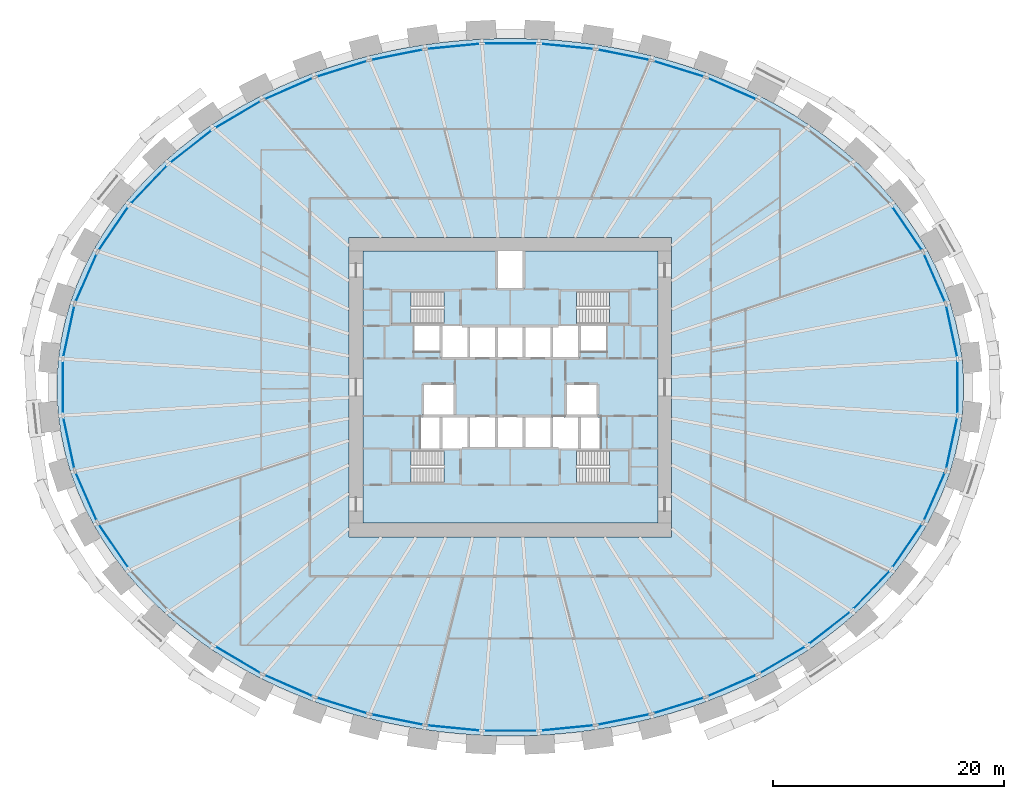
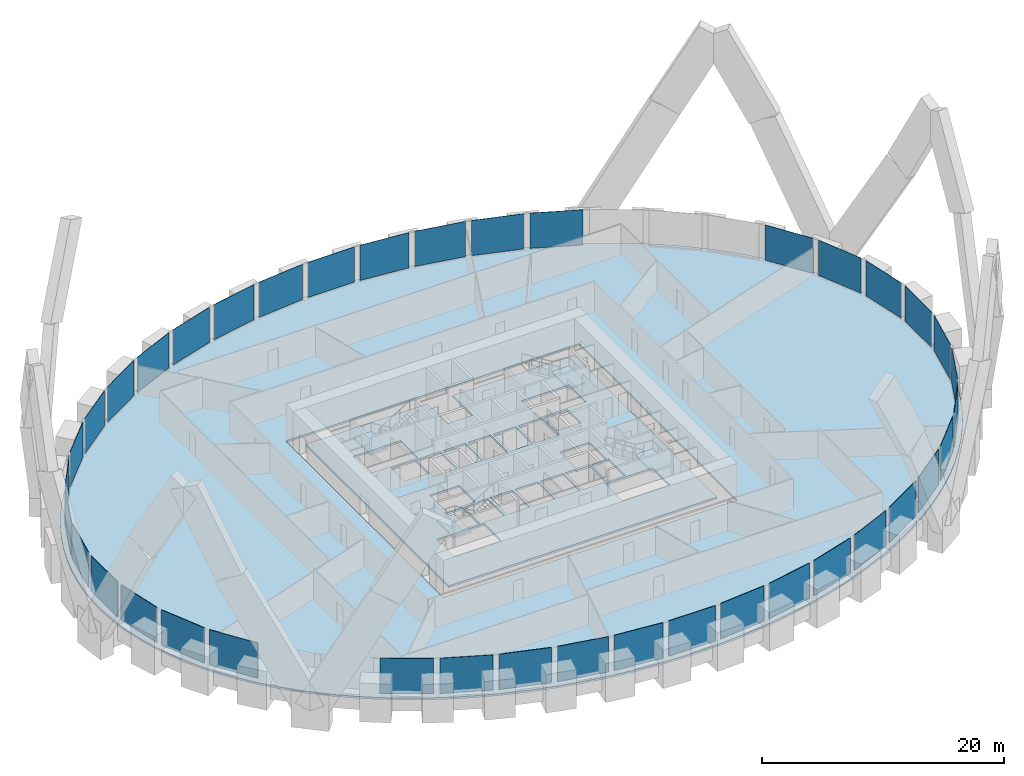
# One storey, part 5 of 12: 39 plates, 6 slabs, 5 elements without a shape of their own.
"""IFC4 building model written with IfcOpenShell, lengths in metres."""

from ifc_helpers import new_model, si_unit, direction, frame, origin, origin_2d, place, context, subcontext, project, spatial, polyline, rectangle, outline, extrude, source, transform, mapped, material, layer, layer_set, type_object, element, aggregate, save


model = new_model("IFC4")

# Units and contexts
model_context = context("Model", 3, precision=1e-05, world=origin(), true_north=direction((0.0, 1.0)))
body_context = subcontext(model_context, "Body", "Model", "MODEL_VIEW")
ifc_project = project(units=[si_unit("LENGTHUNIT", "METRE"), si_unit("AREAUNIT", "SQUARE_METRE"), si_unit("VOLUMEUNIT", "CUBIC_METRE"), si_unit("PLANEANGLEUNIT", "RADIAN"), si_unit("MASSUNIT", "GRAM", prefix="KILO")], contexts=[model_context])

# Site, building, storey
site_placement = place(None, origin())
site = spatial("IfcSite", under=ifc_project, at=site_placement, CompositionType="ELEMENT")
building_placement = place(site_placement, origin())
building = spatial("IfcBuilding", under=site, at=building_placement, Name="Embergate Tower", CompositionType="ELEMENT")
storey_placement = place(building_placement, frame((0.0, 0.0, 45.800048828125)))
storey = spatial("IfcBuildingStorey", under=building, at=storey_placement, Name="L07", CompositionType="ELEMENT", Elevation=45.800048828125)

# Slab
ifc_material_1 = material(Name="Concrete C40", Category="concrete")
ifc_layer_1 = layer(ifc_material_1, 0.199951171875)
ifc_layer_set_1 = layer_set([ifc_layer_1], Name="Concrete C40")
slab_type_1 = type_object("IfcSlabType", Name="Composite floor slab C40 200", PredefinedType="FLOOR", material=ifc_layer_set_1)
shared_shape_1 = source(origin(), body_context, "Body", "SweptSolid", [
    extrude(outline(polyline([(0.0, 0.0), (1.6640625, 0.0), (3.325927734375, 0.053955078125), (4.989013671875, 0.162109375), (6.64501953125, 0.324951171875), (8.2900390625, 0.5419921875), (9.93798828125, 0.81494140625), (11.569091796875, 1.14208984375), (13.179931640625, 1.52294921875), (14.794921875, 1.964111328125), (16.383056640625, 2.4580078125), (17.942138671875, 3.006103515625), (19.5029296875, 3.619140625), (21.027099609375, 4.2861328125), (22.510986328125, 5.00390625), (23.994140625, 5.794921875), (25.427978515625, 6.637939453125), (26.81005859375, 7.531005859375), (28.18310546875, 8.505126953125), (29.494140625, 9.529052734375), (30.739990234375, 10.59912109375), (31.964111328125, 11.757080078125), (33.111083984375, 12.9609375), (34.179931640625, 14.2060546875), (35.2060546875, 15.5419921875), (36.14111328125, 16.9169921875), (36.98291015625, 18.326904296875), (37.754150390625, 19.820068359375), (38.422119140625, 21.342041015625), (38.984130859375, 22.89013671875), (39.447998046875, 24.4970703125), (39.797119140625, 26.1220703125), (40.031982421875, 27.759033203125), (40.150146484375, 29.41796875), (40.150146484375, 31.080078125), (40.031982421875, 32.739013671875), (39.797119140625, 34.3759765625), (39.447998046875, 36.0009765625), (38.984130859375, 37.60791015625), (38.422119140625, 39.156005859375), (37.754150390625, 40.677978515625), (36.98291015625, 42.171142578125), (36.14111328125, 43.5810546875), (35.2060546875, 44.9560546875), (34.179931640625, 46.2919921875), (33.111083984375, 47.537109375), (31.964111328125, 48.740966796875), (30.739990234375, 49.89892578125), (29.494140625, 50.968994140625), (28.18310546875, 51.992919921875), (26.81005859375, 52.967041015625), (25.427978515625, 53.860107421875), (23.994140625, 54.703125), (22.510986328125, 55.494140625), (21.027099609375, 56.2119140625), (19.5029296875, 56.87890625), (17.942138671875, 57.491943359375), (16.383056640625, 58.0400390625), (14.794921875, 58.533935546875), (13.179931640625, 58.97509765625), (11.569091796875, 59.35595703125), (9.93798828125, 59.68310546875), (8.2900390625, 59.9560546875), (6.64501953125, 60.173095703125), (4.989013671875, 60.3359375), (3.325927734375, 60.444091796875), (1.6640625, 60.498046875), (0.0, 60.498046875), (-1.661865234375, 60.444091796875), (-3.324951171875, 60.3359375), (-4.98095703125, 60.173095703125), (-6.6259765625, 59.9560546875), (-8.27392578125, 59.68310546875), (-9.905029296875, 59.35595703125), (-11.515869140625, 58.97509765625), (-13.130859375, 58.533935546875), (-14.718994140625, 58.0400390625), (-16.278076171875, 57.491943359375), (-17.8388671875, 56.87890625), (-19.363037109375, 56.2119140625), (-20.846923828125, 55.494140625), (-22.330078125, 54.703125), (-23.763916015625, 53.860107421875), (-25.14599609375, 52.967041015625), (-26.51904296875, 51.992919921875), (-27.830078125, 50.968994140625), (-29.075927734375, 49.89892578125), (-30.300048828125, 48.740966796875), (-31.447021484375, 47.537109375), (-32.515869140625, 46.2919921875), (-33.5419921875, 44.9560546875), (-34.47705078125, 43.5810546875), (-35.31884765625, 42.171142578125), (-36.090087890625, 40.677978515625), (-36.758056640625, 39.156005859375), (-37.320068359375, 37.60791015625), (-37.783935546875, 36.0009765625), (-38.133056640625, 34.3759765625), (-38.367919921875, 32.739013671875), (-38.486083984375, 31.080078125), (-38.486083984375, 29.41796875), (-38.367919921875, 27.759033203125), (-38.133056640625, 26.1220703125), (-37.783935546875, 24.4970703125), (-37.320068359375, 22.89013671875), (-36.758056640625, 21.342041015625), (-36.090087890625, 19.820068359375), (-35.31884765625, 18.326904296875), (-34.47705078125, 16.9169921875), (-33.5419921875, 15.5419921875), (-32.515869140625, 14.2060546875), (-31.447021484375, 12.9609375), (-30.300048828125, 11.757080078125), (-29.075927734375, 10.59912109375), (-27.830078125, 9.529052734375), (-26.51904296875, 8.505126953125), (-25.14599609375, 7.531005859375), (-23.763916015625, 6.637939453125), (-22.330078125, 5.794921875), (-20.846923828125, 5.00390625), (-19.363037109375, 4.2861328125), (-17.8388671875, 3.619140625), (-16.278076171875, 3.006103515625), (-14.718994140625, 2.4580078125), (-13.130859375, 1.964111328125), (-11.515869140625, 1.52294921875), (-9.905029296875, 1.14208984375), (-8.27392578125, 0.81494140625), (-6.6259765625, 0.5419921875), (-4.98095703125, 0.324951171875), (-3.324951171875, 0.162109375), (-1.661865234375, 0.053955078125), (0.0, 0.0)]), holes=[polyline([(-13.16796875, 17.2490234375), (-13.16796875, 43.2490234375), (14.83203125, 43.2490234375), (14.83203125, 17.2490234375), (-13.16796875, 17.2490234375)])]), origin(), (0.0, 0.0, 1.0), 0.199951171875),
])
slab_1_placement = place(storey_placement, frame((-0.83203125, -30.2490234375, -0.199951171875)))
element("IfcSlab", 1, at=slab_1_placement, inside=storey, type_object=slab_type_1, Name="SLB-L07-00", PredefinedType="FLOOR", context=body_context, shape_type="MappedRepresentation", body=[
    mapped(shared_shape_1, transform((0.0, 0.0, 0.0))),
])

# Curtain wall, plates
ifc_material_2 = material(Name="Aluminium and glass", Category="aluminium")
curtain_wall_type = type_object("IfcCurtainWallType", Name="Recessed office glazing", PredefinedType="NOTDEFINED", material=ifc_material_2)
curtain_wall_placement = place(storey_placement, origin())
curtain_wall = element("IfcCurtainWall", 2, at=curtain_wall_placement, inside=storey, type_object=curtain_wall_type, Name="Recessed office glazing ring", ObjectType="RECESSED OFFICE GLAZING", PredefinedType="USERDEFINED")
ifc_material_3 = material(Name="Triple glazing, low-emissivity coating", Category="glass")
ifc_layer_2 = layer(ifc_material_3, 0.035888671875)
ifc_layer_set_2 = layer_set([ifc_layer_2], Name="Triple glazing, low-emissivity coating")
plate_type = type_object("IfcPlateType", Name="Office glazing unit", PredefinedType="CURTAIN_PANEL", material=ifc_layer_set_2)
shared_shape_2 = source(origin(), body_context, "Body", "SweptSolid", [
    extrude(rectangle(XDim=4.379638671875, YDim=0.035888671875, at=origin_2d()), origin(), (0.0, 0.0, 1.0), 3.550048828125),
])
plate_1_placement = place(storey_placement, frame((38.29638671875, 4.843505859375, 0.14990234375), z_axis=(0.0, 0.0, 1.0), x_axis=(-0.210398391177, 0.97761573074, 0.0)))
plate_1 = element("IfcPlate", 3, at=plate_1_placement, type_object=plate_type, Name="CW panel 1.1", PredefinedType="CURTAIN_PANEL", context=body_context, shape_type="MappedRepresentation", body=[
    mapped(shared_shape_2, transform((0.0, 0.0, 0.0))),
])
plate_2_placement = place(storey_placement, frame((-38.29638671875, 4.843505859375, 0.14990234375), z_axis=(0.0, 0.0, 1.0), x_axis=(-0.210398391177, -0.97761573074, 0.0)))
plate_2 = element("IfcPlate", 4, at=plate_2_placement, type_object=plate_type, Name="CW panel 21.1", PredefinedType="CURTAIN_PANEL", context=body_context, shape_type="MappedRepresentation", body=[
    mapped(shared_shape_2, transform((0.0, 0.0, 0.0))),
])
plate_3_placement = place(storey_placement, frame((-38.29638671875, -4.843505859375, 0.14990234375), z_axis=(0.0, 0.0, 1.0), x_axis=(0.210398391177, -0.97761573074, 0.0)))
plate_3 = element("IfcPlate", 5, at=plate_3_placement, type_object=plate_type, Name="CW panel 23.1", PredefinedType="CURTAIN_PANEL", context=body_context, shape_type="MappedRepresentation", body=[
    mapped(shared_shape_2, transform((0.0, 0.0, 0.0))),
])
plate_4_placement = place(storey_placement, frame((38.29638671875, -4.843505859375, 0.14990234375), z_axis=(0.0, 0.0, 1.0), x_axis=(0.210398391177, 0.97761573074, 0.0)))
plate_4 = element("IfcPlate", 6, at=plate_4_placement, type_object=plate_type, Name="CW panel 43.1", PredefinedType="CURTAIN_PANEL", context=body_context, shape_type="MappedRepresentation", body=[
    mapped(shared_shape_2, transform((0.0, 0.0, 0.0))),
])
shared_shape_3 = source(origin(), body_context, "Body", "SweptSolid", [
    extrude(rectangle(XDim=4.38671875, YDim=0.035888671875, at=origin_2d()), origin(), (0.0, 0.0, 1.0), 3.550048828125),
])
plate_5_placement = place(storey_placement, frame((36.79541015625, 9.4853515625, 0.14990234375), z_axis=(0.0, 0.0, 1.0), x_axis=(-0.401652101157, 0.91579232888, 0.0)))
plate_5 = element("IfcPlate", 7, at=plate_5_placement, type_object=plate_type, Name="CW panel 2.1", PredefinedType="CURTAIN_PANEL", context=body_context, shape_type="MappedRepresentation", body=[
    mapped(shared_shape_3, transform((0.0, 0.0, 0.0))),
])
plate_6_placement = place(storey_placement, frame((-36.79541015625, 9.4853515625, 0.14990234375), z_axis=(0.0, 0.0, 1.0), x_axis=(-0.401652101157, -0.91579232888, 0.0)))
plate_6 = element("IfcPlate", 8, at=plate_6_placement, type_object=plate_type, Name="CW panel 20.1", PredefinedType="CURTAIN_PANEL", context=body_context, shape_type="MappedRepresentation", body=[
    mapped(shared_shape_3, transform((0.0, 0.0, 0.0))),
])
plate_7_placement = place(storey_placement, frame((-36.79541015625, -9.4853515625, 0.14990234375), z_axis=(0.0, 0.0, 1.0), x_axis=(0.401652101157, -0.91579232888, 0.0)))
plate_7 = element("IfcPlate", 9, at=plate_7_placement, type_object=plate_type, Name="CW panel 24.1", PredefinedType="CURTAIN_PANEL", context=body_context, shape_type="MappedRepresentation", body=[
    mapped(shared_shape_3, transform((0.0, 0.0, 0.0))),
])
plate_8_placement = place(storey_placement, frame((36.79541015625, -9.4853515625, 0.14990234375), z_axis=(0.0, 0.0, 1.0), x_axis=(0.401652101157, 0.91579232888, 0.0)))
plate_8 = element("IfcPlate", 10, at=plate_8_placement, type_object=plate_type, Name="CW panel 42.1", PredefinedType="CURTAIN_PANEL", context=body_context, shape_type="MappedRepresentation", body=[
    mapped(shared_shape_3, transform((0.0, 0.0, 0.0))),
])
shared_shape_4 = source(origin(), body_context, "Body", "SweptSolid", [
    extrude(rectangle(XDim=4.3955078125, YDim=0.035888671875, at=origin_2d()), origin(), (0.0, 0.0, 1.0), 3.550048828125),
])
plate_9_placement = place(storey_placement, frame((34.427978515625, 13.764404296875, 0.14990234375), z_axis=(0.0, 0.0, 1.0), x_axis=(-0.562341741915, 0.826904931234, 0.0)))
plate_9 = element("IfcPlate", 11, at=plate_9_placement, type_object=plate_type, Name="CW panel 3.1", PredefinedType="CURTAIN_PANEL", context=body_context, shape_type="MappedRepresentation", body=[
    mapped(shared_shape_4, transform((0.0, 0.0, 0.0))),
])
plate_10_placement = place(storey_placement, frame((-34.427978515625, 13.764404296875, 0.14990234375), z_axis=(0.0, 0.0, 1.0), x_axis=(-0.562341741915, -0.826904931234, 0.0)))
plate_10 = element("IfcPlate", 12, at=plate_10_placement, type_object=plate_type, Name="CW panel 19.1", PredefinedType="CURTAIN_PANEL", context=body_context, shape_type="MappedRepresentation", body=[
    mapped(shared_shape_4, transform((0.0, 0.0, 0.0))),
])
plate_11_placement = place(storey_placement, frame((-34.427978515625, -13.764404296875, 0.14990234375), z_axis=(0.0, 0.0, 1.0), x_axis=(0.562341741915, -0.826904931234, 0.0)))
plate_11 = element("IfcPlate", 13, at=plate_11_placement, type_object=plate_type, Name="CW panel 25.1", PredefinedType="CURTAIN_PANEL", context=body_context, shape_type="MappedRepresentation", body=[
    mapped(shared_shape_4, transform((0.0, 0.0, 0.0))),
])
plate_12_placement = place(storey_placement, frame((34.427978515625, -13.764404296875, 0.14990234375), z_axis=(0.0, 0.0, 1.0), x_axis=(0.562341741915, 0.826904931234, 0.0)))
plate_12 = element("IfcPlate", 14, at=plate_12_placement, type_object=plate_type, Name="CW panel 41.1", PredefinedType="CURTAIN_PANEL", context=body_context, shape_type="MappedRepresentation", body=[
    mapped(shared_shape_4, transform((0.0, 0.0, 0.0))),
])
shared_shape_5 = source(origin(), body_context, "Body", "SweptSolid", [
    extrude(rectangle(XDim=4.404296875, YDim=0.035888671875, at=origin_2d()), origin(), (0.0, 0.0, 1.0), 3.550048828125),
])
plate_13_placement = place(storey_placement, frame((-31.3466796875, 17.57861328125, 0.14990234375), z_axis=(0.0, 0.0, 1.0), x_axis=(-0.690135047526, -0.723680603703, 0.0)))
plate_13 = element("IfcPlate", 15, at=plate_13_placement, type_object=plate_type, Name="CW panel 18.1", PredefinedType="CURTAIN_PANEL", context=body_context, shape_type="MappedRepresentation", body=[
    mapped(shared_shape_5, transform((0.0, 0.0, 0.0))),
])
plate_14_placement = place(storey_placement, frame((31.3466796875, -17.57861328125, 0.14990234375), z_axis=(0.0, 0.0, 1.0), x_axis=(0.690135047526, 0.723680603703, 0.0)))
plate_14 = element("IfcPlate", 16, at=plate_14_placement, type_object=plate_type, Name="CW panel 40.1", PredefinedType="CURTAIN_PANEL", context=body_context, shape_type="MappedRepresentation", body=[
    mapped(shared_shape_5, transform((0.0, 0.0, 0.0))),
])
shared_shape_6 = source(origin(), body_context, "Body", "SweptSolid", [
    extrude(rectangle(XDim=4.411865234375, YDim=0.035888671875, at=origin_2d()), origin(), (0.0, 0.0, 1.0), 3.550048828125),
])
plate_15_placement = place(storey_placement, frame((-27.703369140625, 20.877685546875, 0.14990234375), z_axis=(0.0, 0.0, 1.0), x_axis=(-0.788320119254, -0.615265300158, 0.0)))
plate_15 = element("IfcPlate", 17, at=plate_15_placement, type_object=plate_type, Name="CW panel 17.1", PredefinedType="CURTAIN_PANEL", context=body_context, shape_type="MappedRepresentation", body=[
    mapped(shared_shape_6, transform((0.0, 0.0, 0.0))),
])
plate_16_placement = place(storey_placement, frame((27.703369140625, -20.877685546875, 0.14990234375), z_axis=(0.0, 0.0, 1.0), x_axis=(0.788320119254, 0.615265300158, 0.0)))
plate_16 = element("IfcPlate", 18, at=plate_16_placement, type_object=plate_type, Name="CW panel 39.1", PredefinedType="CURTAIN_PANEL", context=body_context, shape_type="MappedRepresentation", body=[
    mapped(shared_shape_6, transform((0.0, 0.0, 0.0))),
])
shared_shape_7 = source(origin(), body_context, "Body", "SweptSolid", [
    extrude(rectangle(XDim=4.41796875, YDim=0.035888671875, at=origin_2d()), origin(), (0.0, 0.0, 1.0), 3.550048828125),
])
plate_17_placement = place(storey_placement, frame((-23.631103515625, 23.646240234375, 0.14990234375), z_axis=(0.0, 0.0, 1.0), x_axis=(-0.862053167811, -0.50681785275, 0.0)))
plate_17 = element("IfcPlate", 19, at=plate_17_placement, type_object=plate_type, Name="CW panel 16.1", PredefinedType="CURTAIN_PANEL", context=body_context, shape_type="MappedRepresentation", body=[
    mapped(shared_shape_7, transform((0.0, 0.0, 0.0))),
])
plate_18_placement = place(storey_placement, frame((-23.631103515625, -23.646240234375, 0.14990234375), z_axis=(0.0, 0.0, 1.0), x_axis=(0.862053167811, -0.50681785275, 0.0)))
plate_18 = element("IfcPlate", 20, at=plate_18_placement, type_object=plate_type, Name="CW panel 28.1", PredefinedType="CURTAIN_PANEL", context=body_context, shape_type="MappedRepresentation", body=[
    mapped(shared_shape_7, transform((0.0, 0.0, 0.0))),
])
plate_19_placement = place(storey_placement, frame((23.631103515625, -23.646240234375, 0.14990234375), z_axis=(0.0, 0.0, 1.0), x_axis=(0.862053167811, 0.50681785275, 0.0)))
plate_19 = element("IfcPlate", 21, at=plate_19_placement, type_object=plate_type, Name="CW panel 38.1", PredefinedType="CURTAIN_PANEL", context=body_context, shape_type="MappedRepresentation", body=[
    mapped(shared_shape_7, transform((0.0, 0.0, 0.0))),
])
shared_shape_8 = source(origin(), body_context, "Body", "SweptSolid", [
    extrude(rectangle(XDim=4.422607421875, YDim=0.035888671875, at=origin_2d()), origin(), (0.0, 0.0, 1.0), 3.550048828125),
])
plate_20_placement = place(storey_placement, frame((19.23828125, 25.8876953125, 0.14990234375), z_axis=(0.0, 0.0, 1.0), x_axis=(-0.916236211741, 0.400638495772, 0.0)))
plate_20 = element("IfcPlate", 22, at=plate_20_placement, type_object=plate_type, Name="CW panel 7.1", PredefinedType="CURTAIN_PANEL", context=body_context, shape_type="MappedRepresentation", body=[
    mapped(shared_shape_8, transform((0.0, 0.0, 0.0))),
])
plate_21_placement = place(storey_placement, frame((-19.23828125, 25.8876953125, 0.14990234375), z_axis=(0.0, 0.0, 1.0), x_axis=(-0.916236211741, -0.400638495772, 0.0)))
plate_21 = element("IfcPlate", 23, at=plate_21_placement, type_object=plate_type, Name="CW panel 15.1", PredefinedType="CURTAIN_PANEL", context=body_context, shape_type="MappedRepresentation", body=[
    mapped(shared_shape_8, transform((0.0, 0.0, 0.0))),
])
plate_22_placement = place(storey_placement, frame((-19.23828125, -25.8876953125, 0.14990234375), z_axis=(0.0, 0.0, 1.0), x_axis=(0.916236211741, -0.400638495772, 0.0)))
plate_22 = element("IfcPlate", 24, at=plate_22_placement, type_object=plate_type, Name="CW panel 29.1", PredefinedType="CURTAIN_PANEL", context=body_context, shape_type="MappedRepresentation", body=[
    mapped(shared_shape_8, transform((0.0, 0.0, 0.0))),
])
plate_23_placement = place(storey_placement, frame((19.23828125, -25.8876953125, 0.14990234375), z_axis=(0.0, 0.0, 1.0), x_axis=(0.916236211741, 0.400638495772, 0.0)))
plate_23 = element("IfcPlate", 25, at=plate_23_placement, type_object=plate_type, Name="CW panel 37.1", PredefinedType="CURTAIN_PANEL", context=body_context, shape_type="MappedRepresentation", body=[
    mapped(shared_shape_8, transform((0.0, 0.0, 0.0))),
])
shared_shape_9 = source(origin(), body_context, "Body", "SweptSolid", [
    extrude(rectangle(XDim=4.42578125, YDim=0.035888671875, at=origin_2d()), origin(), (0.0, 0.0, 1.0), 3.550048828125),
])
plate_24_placement = place(storey_placement, frame((14.613037109375, 27.613037109375, 0.14990234375), z_axis=(0.0, 0.0, 1.0), x_axis=(-0.954772217174, 0.297338213676, 0.0)))
plate_24 = element("IfcPlate", 26, at=plate_24_placement, type_object=plate_type, Name="CW panel 8.1", PredefinedType="CURTAIN_PANEL", context=body_context, shape_type="MappedRepresentation", body=[
    mapped(shared_shape_9, transform((0.0, 0.0, 0.0))),
])
plate_25_placement = place(storey_placement, frame((-14.613037109375, 27.613037109375, 0.14990234375), z_axis=(0.0, 0.0, 1.0), x_axis=(-0.954772217174, -0.297338213676, 0.0)))
plate_25 = element("IfcPlate", 27, at=plate_25_placement, type_object=plate_type, Name="CW panel 14.1", PredefinedType="CURTAIN_PANEL", context=body_context, shape_type="MappedRepresentation", body=[
    mapped(shared_shape_9, transform((0.0, 0.0, 0.0))),
])
plate_26_placement = place(storey_placement, frame((-14.613037109375, -27.613037109375, 0.14990234375), z_axis=(0.0, 0.0, 1.0), x_axis=(0.954772217174, -0.297338213676, 0.0)))
plate_26 = element("IfcPlate", 28, at=plate_26_placement, type_object=plate_type, Name="CW panel 30.1", PredefinedType="CURTAIN_PANEL", context=body_context, shape_type="MappedRepresentation", body=[
    mapped(shared_shape_9, transform((0.0, 0.0, 0.0))),
])
plate_27_placement = place(storey_placement, frame((14.613037109375, -27.613037109375, 0.14990234375), z_axis=(0.0, 0.0, 1.0), x_axis=(0.954772217174, 0.297338213676, 0.0)))
plate_27 = element("IfcPlate", 29, at=plate_27_placement, type_object=plate_type, Name="CW panel 36.1", PredefinedType="CURTAIN_PANEL", context=body_context, shape_type="MappedRepresentation", body=[
    mapped(shared_shape_9, transform((0.0, 0.0, 0.0))),
])
shared_shape_10 = source(origin(), body_context, "Body", "SweptSolid", [
    extrude(rectangle(XDim=4.427978515625, YDim=0.035888671875, at=origin_2d()), origin(), (0.0, 0.0, 1.0), 3.550048828125),
])
plate_28_placement = place(storey_placement, frame((9.826171875, 28.8349609375, 0.14990234375), z_axis=(0.0, 0.0, 1.0), x_axis=(-0.980475907409, 0.196639250889, 0.0)))
plate_28 = element("IfcPlate", 30, at=plate_28_placement, type_object=plate_type, Name="CW panel 9.1", PredefinedType="CURTAIN_PANEL", context=body_context, shape_type="MappedRepresentation", body=[
    mapped(shared_shape_10, transform((0.0, 0.0, 0.0))),
])
plate_29_placement = place(storey_placement, frame((-9.826171875, 28.8349609375, 0.14990234375), z_axis=(0.0, 0.0, 1.0), x_axis=(-0.980475907409, -0.196639250889, 0.0)))
plate_29 = element("IfcPlate", 31, at=plate_29_placement, type_object=plate_type, Name="CW panel 13.1", PredefinedType="CURTAIN_PANEL", context=body_context, shape_type="MappedRepresentation", body=[
    mapped(shared_shape_10, transform((0.0, 0.0, 0.0))),
])
plate_30_placement = place(storey_placement, frame((-9.826171875, -28.8349609375, 0.14990234375), z_axis=(0.0, 0.0, 1.0), x_axis=(0.980475907409, -0.196639250889, 0.0)))
plate_30 = element("IfcPlate", 32, at=plate_30_placement, type_object=plate_type, Name="CW panel 31.1", PredefinedType="CURTAIN_PANEL", context=body_context, shape_type="MappedRepresentation", body=[
    mapped(shared_shape_10, transform((0.0, 0.0, 0.0))),
])
plate_31_placement = place(storey_placement, frame((9.826171875, -28.8349609375, 0.14990234375), z_axis=(0.0, 0.0, 1.0), x_axis=(0.980475907409, 0.196639250889, 0.0)))
plate_31 = element("IfcPlate", 33, at=plate_31_placement, type_object=plate_type, Name="CW panel 35.1", PredefinedType="CURTAIN_PANEL", context=body_context, shape_type="MappedRepresentation", body=[
    mapped(shared_shape_10, transform((0.0, 0.0, 0.0))),
])
shared_shape_11 = source(origin(), body_context, "Body", "SweptSolid", [
    extrude(rectangle(XDim=4.42919921875, YDim=0.035888671875, at=origin_2d()), origin(), (0.0, 0.0, 1.0), 3.550048828125),
])
plate_32_placement = place(storey_placement, frame((4.937744140625, 29.5634765625, 0.14990234375), z_axis=(0.0, 0.0, 1.0), x_axis=(-0.995203184788, 0.097829550688, 0.0)))
plate_32 = element("IfcPlate", 34, at=plate_32_placement, type_object=plate_type, Name="CW panel 10.1", PredefinedType="CURTAIN_PANEL", context=body_context, shape_type="MappedRepresentation", body=[
    mapped(shared_shape_11, transform((0.0, 0.0, 0.0))),
])
plate_33_placement = place(storey_placement, frame((-4.937744140625, 29.5634765625, 0.14990234375), z_axis=(0.0, 0.0, 1.0), x_axis=(-0.995203184788, -0.097829550688, 0.0)))
plate_33 = element("IfcPlate", 35, at=plate_33_placement, type_object=plate_type, Name="CW panel 12.1", PredefinedType="CURTAIN_PANEL", context=body_context, shape_type="MappedRepresentation", body=[
    mapped(shared_shape_11, transform((0.0, 0.0, 0.0))),
])
plate_34_placement = place(storey_placement, frame((-4.937744140625, -29.5634765625, 0.14990234375), z_axis=(0.0, 0.0, 1.0), x_axis=(0.995203184788, -0.097829550688, 0.0)))
plate_34 = element("IfcPlate", 36, at=plate_34_placement, type_object=plate_type, Name="CW panel 32.1", PredefinedType="CURTAIN_PANEL", context=body_context, shape_type="MappedRepresentation", body=[
    mapped(shared_shape_11, transform((0.0, 0.0, 0.0))),
])
plate_35_placement = place(storey_placement, frame((4.937744140625, -29.5634765625, 0.14990234375), z_axis=(0.0, 0.0, 1.0), x_axis=(0.995203184788, 0.097829550688, 0.0)))
plate_35 = element("IfcPlate", 37, at=plate_35_placement, type_object=plate_type, Name="CW panel 34.1", PredefinedType="CURTAIN_PANEL", context=body_context, shape_type="MappedRepresentation", body=[
    mapped(shared_shape_11, transform((0.0, 0.0, 0.0))),
])
shared_shape_12 = source(origin(), body_context, "Body", "SweptSolid", [
    extrude(rectangle(XDim=4.4296875, YDim=0.035888671875, at=origin_2d()), origin(), (0.0, 0.0, 1.0), 3.550048828125),
])
plate_36_placement = place(storey_placement, frame((0.0, 29.8056640625, 0.14990234375), z_axis=(0.0, 0.0, 1.0), x_axis=(-1.0, 0.0, 0.0)))
plate_36 = element("IfcPlate", 38, at=plate_36_placement, type_object=plate_type, Name="CW panel 11.1", PredefinedType="CURTAIN_PANEL", context=body_context, shape_type="MappedRepresentation", body=[
    mapped(shared_shape_12, transform((0.0, 0.0, 0.0))),
])
plate_37_placement = place(storey_placement, frame((0.0, -29.8056640625, 0.14990234375), z_axis=(0.0, 0.0, 1.0), x_axis=(1.0, 0.0, 0.0)))
plate_37 = element("IfcPlate", 39, at=plate_37_placement, type_object=plate_type, Name="CW panel 33.1", PredefinedType="CURTAIN_PANEL", context=body_context, shape_type="MappedRepresentation", body=[
    mapped(shared_shape_12, transform((0.0, 0.0, 0.0))),
])
shared_shape_13 = source(origin(), body_context, "Body", "SweptSolid", [
    extrude(rectangle(XDim=4.376953125, YDim=0.035888671875, at=origin_2d()), origin(), (0.0, 0.0, 1.0), 3.550048828125),
])
plate_38_placement = place(storey_placement, frame((-38.811767578125, 0.0, 0.14990234375), z_axis=(0.0, 0.0, 1.0), x_axis=(0.0, -1.0, 0.0)))
plate_38 = element("IfcPlate", 40, at=plate_38_placement, type_object=plate_type, Name="CW panel 22.1", PredefinedType="CURTAIN_PANEL", context=body_context, shape_type="MappedRepresentation", body=[
    mapped(shared_shape_13, transform((0.0, 0.0, 0.0))),
])
plate_39_placement = place(storey_placement, frame((38.811767578125, 0.0, 0.14990234375), z_axis=(0.0, 0.0, 1.0), x_axis=(0.0, 1.0, 0.0)))
plate_39 = element("IfcPlate", 41, at=plate_39_placement, type_object=plate_type, Name="CW panel 44.1", PredefinedType="CURTAIN_PANEL", context=body_context, shape_type="MappedRepresentation", body=[
    mapped(shared_shape_13, transform((0.0, 0.0, 0.0))),
])
aggregate(curtain_wall, [plate_1, plate_5, plate_9, plate_20, plate_24, plate_28, plate_32, plate_36, plate_33, plate_29, plate_25, plate_21, plate_17, plate_15, plate_13, plate_10, plate_6, plate_2, plate_38, plate_3, plate_7, plate_11, plate_18, plate_22, plate_26, plate_30, plate_34, plate_37, plate_35, plate_31, plate_27, plate_23, plate_19, plate_16, plate_14, plate_12, plate_8, plate_4, plate_39])

# Stair, slab
ifc_material_4 = material(Name="Exit stair")
stair_type = type_object("IfcStairType", Name="Exit stair", PredefinedType="HALF_TURN_STAIR", material=ifc_material_4)
stair_1_placement = place(storey_placement, origin())
stair_1 = element("IfcStair", 42, at=stair_1_placement, inside=storey, type_object=stair_type, Name="L07 Exit stair 1", PredefinedType="HALF_TURN_STAIR")
ifc_layer_3 = layer(ifc_material_1, 0.199951171875)
ifc_layer_set_3 = layer_set([ifc_layer_3], Name="Concrete C40")
slab_type_2 = type_object("IfcSlabType", Name="Stair landing reinforced concrete", PredefinedType="LANDING", material=ifc_layer_set_3)
shared_shape_14 = source(origin(), body_context, "Body", "SweptSolid", [
    extrude(outline(polyline([(0.0, 0.0), (1.68994140625, 0.0), (1.68994140625, 2.800048828125), (0.0, 2.800048828125), (0.0, 0.0)])), origin(), (0.0, 0.0, 1.0), 0.199951171875),
])
slab_2_placement = place(storey_placement, frame((-10.300048828125, 5.5, 1.75)))
slab_2 = element("IfcSlab", 43, at=slab_2_placement, type_object=slab_type_2, Name="ST1 landing 1", PredefinedType="LANDING", context=body_context, shape_type="MappedRepresentation", body=[
    mapped(shared_shape_14, transform((0.0, 0.0, 0.0))),
])
aggregate(stair_1, [slab_2])

stair_2_placement = place(storey_placement, origin())
stair_2 = element("IfcStair", 44, at=stair_2_placement, inside=storey, type_object=stair_type, Name="L07 Exit stair 2", PredefinedType="HALF_TURN_STAIR")
slab_3_placement = place(storey_placement, frame((8.610107421875, 5.5, 1.75)))
slab_3 = element("IfcSlab", 45, at=slab_3_placement, type_object=slab_type_2, Name="ST2 landing 1", PredefinedType="LANDING", context=body_context, shape_type="MappedRepresentation", body=[
    mapped(shared_shape_14, transform((0.0, 0.0, 0.0))),
])
aggregate(stair_2, [slab_3])

stair_3_placement = place(storey_placement, origin())
stair_3 = element("IfcStair", 46, at=stair_3_placement, inside=storey, type_object=stair_type, Name="L07 Exit stair 3", PredefinedType="HALF_TURN_STAIR")
slab_4_placement = place(storey_placement, frame((-10.300048828125, -8.300048828125, 1.75)))
slab_4 = element("IfcSlab", 47, at=slab_4_placement, type_object=slab_type_2, Name="ST3 landing 1", PredefinedType="LANDING", context=body_context, shape_type="MappedRepresentation", body=[
    mapped(shared_shape_14, transform((0.0, 0.0, 0.0))),
])
aggregate(stair_3, [slab_4])

stair_4_placement = place(storey_placement, origin())
stair_4 = element("IfcStair", 48, at=stair_4_placement, inside=storey, type_object=stair_type, Name="L07 Exit stair 4", PredefinedType="HALF_TURN_STAIR")
slab_5_placement = place(storey_placement, frame((8.610107421875, -8.300048828125, 1.75)))
slab_5 = element("IfcSlab", 49, at=slab_5_placement, type_object=slab_type_2, Name="ST4 landing 1", PredefinedType="LANDING", context=body_context, shape_type="MappedRepresentation", body=[
    mapped(shared_shape_14, transform((0.0, 0.0, 0.0))),
])
aggregate(stair_4, [slab_5])

# Slab
ifc_layer_4 = layer(ifc_material_1, 0.199951171875)
ifc_layer_set_4 = layer_set([ifc_layer_4], Name="Concrete C40")
slab_type_3 = type_object("IfcSlabType", Name="Core floor slab 200 reinforced concrete", PredefinedType="FLOOR", material=ifc_layer_set_4)
shared_shape_15 = source(origin(), body_context, "Body", "SweptSolid", [
    extrude(outline(polyline([(0.0, 0.0), (25.60009765625, 0.0), (25.60009765625, 23.60009765625), (14.0, 23.60009765625), (14.0, 20.300048828125), (11.60009765625, 20.300048828125), (11.60009765625, 23.60009765625), (0.0, 23.60009765625), (0.0, 0.0)]), holes=[polyline([(2.5, 3.5), (2.5, 6.300048828125), (7.0400390625, 6.300048828125), (7.0400390625, 3.5), (2.5, 3.5)]), polyline([(18.56005859375, 3.5), (18.56005859375, 6.300048828125), (23.10009765625, 6.300048828125), (23.10009765625, 3.5), (18.56005859375, 3.5)]), polyline([(5.0, 6.5), (5.0, 9.300048828125), (5.074951171875, 9.300048828125), (5.074951171875, 9.175048828125), (6.675048828125, 9.175048828125), (6.675048828125, 6.5), (5.0, 6.5)]), polyline([(6.800048828125, 6.5), (6.800048828125, 9.175048828125), (8.125, 9.175048828125), (8.125, 9.300048828125), (9.074951171875, 9.300048828125), (9.074951171875, 6.5), (6.800048828125, 6.5)]), polyline([(9.324951171875, 6.5), (9.324951171875, 9.300048828125), (11.47509765625, 9.300048828125), (11.47509765625, 6.5), (9.324951171875, 6.5)]), polyline([(11.72509765625, 6.5), (11.72509765625, 9.300048828125), (13.875, 9.300048828125), (13.875, 6.5), (11.72509765625, 6.5)]), polyline([(14.125, 6.5), (14.125, 9.300048828125), (16.275146484375, 9.300048828125), (16.275146484375, 6.5), (14.125, 6.5)]), polyline([(16.525146484375, 6.5), (16.525146484375, 9.300048828125), (17.47509765625, 9.300048828125), (17.47509765625, 9.175048828125), (18.800048828125, 9.175048828125), (18.800048828125, 6.5), (16.525146484375, 6.5)]), polyline([(18.925048828125, 6.5), (18.925048828125, 9.175048828125), (20.525146484375, 9.175048828125), (20.525146484375, 9.300048828125), (20.60009765625, 9.300048828125), (20.60009765625, 6.5), (18.925048828125, 6.5)]), polyline([(5.199951171875, 9.300048828125), (5.199951171875, 12.10009765625), (8.0, 12.10009765625), (8.0, 9.425048828125), (6.675048828125, 9.425048828125), (6.675048828125, 9.300048828125), (5.199951171875, 9.300048828125)]), polyline([(18.925048828125, 9.300048828125), (18.925048828125, 9.425048828125), (17.60009765625, 9.425048828125), (17.60009765625, 12.10009765625), (20.400146484375, 12.10009765625), (20.400146484375, 9.300048828125), (18.925048828125, 9.300048828125)]), polyline([(6.800048828125, 14.300048828125), (6.800048828125, 17.10009765625), (9.074951171875, 17.10009765625), (9.074951171875, 14.300048828125), (6.800048828125, 14.300048828125)]), polyline([(9.324951171875, 14.300048828125), (9.324951171875, 17.10009765625), (11.47509765625, 17.10009765625), (11.47509765625, 14.300048828125), (9.324951171875, 14.300048828125)]), polyline([(11.72509765625, 14.300048828125), (11.72509765625, 17.10009765625), (13.875, 17.10009765625), (13.875, 14.300048828125), (11.72509765625, 14.300048828125)]), polyline([(14.125, 14.300048828125), (14.125, 17.10009765625), (16.275146484375, 17.10009765625), (16.275146484375, 14.300048828125), (14.125, 14.300048828125)]), polyline([(16.525146484375, 14.300048828125), (16.525146484375, 17.10009765625), (18.800048828125, 17.10009765625), (18.800048828125, 14.300048828125), (16.525146484375, 14.300048828125)]), polyline([(4.400146484375, 14.900146484375), (4.400146484375, 17.10009765625), (6.675048828125, 17.10009765625), (6.675048828125, 14.900146484375), (4.400146484375, 14.900146484375)]), polyline([(18.925048828125, 14.900146484375), (18.925048828125, 17.10009765625), (21.199951171875, 17.10009765625), (21.199951171875, 14.900146484375), (18.925048828125, 14.900146484375)]), polyline([(2.5, 17.300048828125), (2.5, 20.10009765625), (7.0400390625, 20.10009765625), (7.0400390625, 17.300048828125), (2.5, 17.300048828125)]), polyline([(18.56005859375, 17.300048828125), (18.56005859375, 20.10009765625), (23.10009765625, 20.10009765625), (23.10009765625, 17.300048828125), (18.56005859375, 17.300048828125)])]), origin(), (0.0, 0.0, 1.0), 0.199951171875),
])
slab_6_placement = place(storey_placement, frame((-12.800048828125, -11.800048828125, -0.199951171875)))
element("IfcSlab", 50, at=slab_6_placement, inside=storey, type_object=slab_type_3, Name="Core floor slab", PredefinedType="FLOOR", context=body_context, shape_type="MappedRepresentation", body=[
    mapped(shared_shape_15, transform((0.0, 0.0, 0.0))),
])

save(model, "model.ifc")
